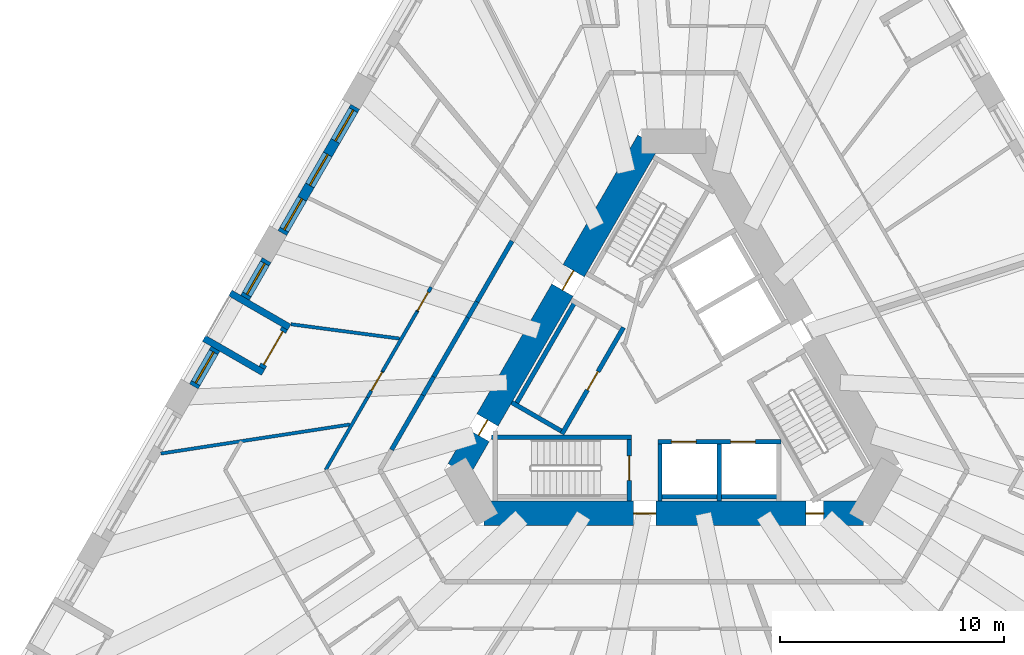
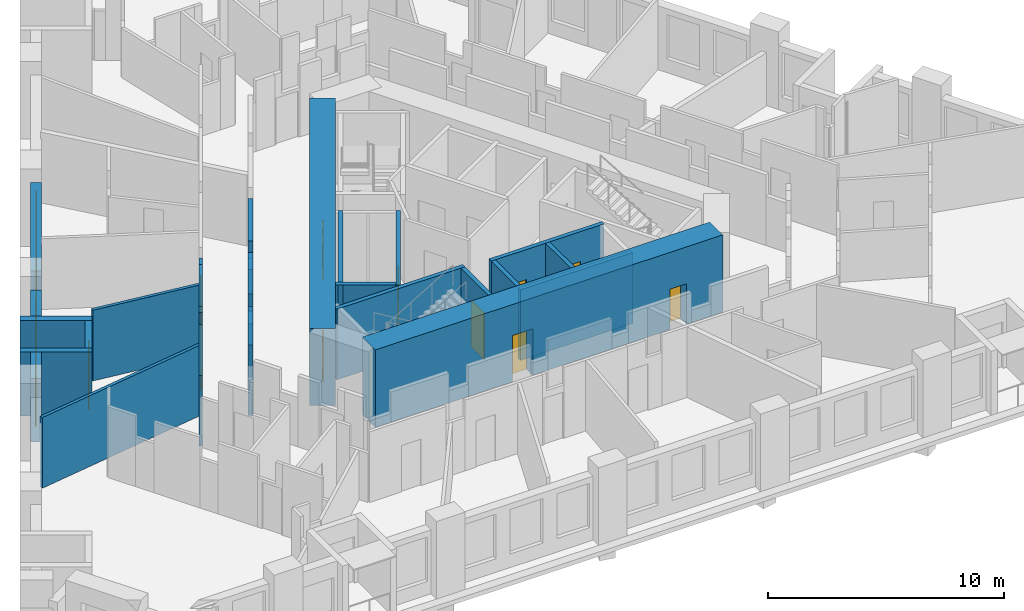
# One storey, part 4 of 14: 28 walls, 11 doors, 5 windows, 16 openings.
"""IFC4 building model written with IfcOpenShell, lengths in metres."""

from ifc_helpers import new_model, si_unit, direction, frame, frame_2d, origin, place, context, subcontext, project, spatial, polyline, rectangle, outline, extrude, material, layer, layer_set, type_object, element, fill, save


model = new_model("IFC4")

# Units and contexts
model_context = context("Model", 3, precision=1e-05, world=origin(), true_north=direction((0.0, 1.0)))
body_context = subcontext(model_context, "Body", "Model", "MODEL_VIEW")
ifc_project = project(units=[si_unit("LENGTHUNIT", "METRE"), si_unit("AREAUNIT", "SQUARE_METRE"), si_unit("VOLUMEUNIT", "CUBIC_METRE"), si_unit("PLANEANGLEUNIT", "RADIAN"), si_unit("MASSUNIT", "GRAM", prefix="KILO")], contexts=[model_context])

# Site, building, storey
site_placement = place(None, origin())
site = spatial("IfcSite", under=ifc_project, at=site_placement, CompositionType="ELEMENT")
building_placement = place(site_placement, origin())
building = spatial("IfcBuilding", under=site, at=building_placement, Name="Tramontana Tower", CompositionType="ELEMENT")
storey_placement = place(building_placement, frame((0.0, 0.0, 38.0)))
storey = spatial("IfcBuildingStorey", under=building, at=storey_placement, Name="L07", CompositionType="ELEMENT", Elevation=38.0)

# Wall, openings, doors
ifc_material_1 = material(Name="Concrete 70 MPa", Category="concrete")
ifc_layer_1 = layer(ifc_material_1, 1.10009765625)
ifc_layer_set_1 = layer_set([ifc_layer_1], Name="Core wall 1100 70 MPa")
wall_type_1 = type_object("IfcWallType", Name="Core wall 1100 70 MPa", PredefinedType="SHEAR", material=ifc_layer_set_1)
wall_1_placement = place(storey_placement, frame((-1.125732421875, 10.449951171875, 0.0), z_axis=(0.0, 0.0, 1.0), x_axis=(-0.500001757713, -0.866024388966, 0.0)))
wall_1 = element("IfcWall", 1, at=wall_1_placement, inside=storey, type_object=wall_type_1, Name="Core wall C1 L07", PredefinedType="SHEAR", context=body_context, shape_type="SweptSolid", body=[
    extrude(rectangle(XDim=16.97412109375, YDim=1.10009765625, at=frame_2d((8.487060546875, 0.0))), origin(), (0.0, 0.0, 1.0), 4.0),
])
opening_1_placement = place(wall_1_placement, frame((6.692138671875, 0.0, 0.0)))
opening_1 = element("IfcOpeningElement", 2, at=opening_1_placement, cuts=wall_1, Name="Opening RG1", PredefinedType="OPENING", context=body_context, shape_type="SweptSolid", body=[
    extrude(rectangle(XDim=1.0, YDim=2.39990234375, at=frame_2d((0.5, 1.199951171875))), frame((0.0, 0.56005859375, 0.0), z_axis=(0.0, -1.0, 0.0), x_axis=(1.0, 0.0, 0.0)), (0.0, 0.0, 1.0), 1.1201171875),
])
opening_2_placement = place(wall_1_placement, frame((14.397216796875, 0.0, 0.0)))
opening_2 = element("IfcOpeningElement", 3, at=opening_2_placement, cuts=wall_1, Name="Opening PD1", PredefinedType="OPENING", context=body_context, shape_type="SweptSolid", body=[
    extrude(rectangle(XDim=0.800048828125, YDim=2.10009765625, at=frame_2d((0.39990234375, 1.050048828125))), frame((0.0, 0.56005859375, 0.0), z_axis=(0.0, -1.0, 0.0), x_axis=(1.0, 0.0, 0.0)), (0.0, 0.0, 1.0), 1.1201171875),
])
ifc_material_2 = material(Name="Painted steel", Category="steel")
door_type_1 = type_object("IfcDoorType", Name="CUPBOARD DOOR 800", OperationType="SINGLE_SWING_LEFT", PredefinedType="DOOR", material=ifc_material_2)
door_1_placement = place(opening_2_placement, origin())
door_1 = element("IfcDoor", 4, at=door_1_placement, inside=storey, type_object=door_type_1, Name="Door PD1", OperationType="SINGLE_SWING_LEFT", OverallHeight=2.10009765625, OverallWidth=0.800048828125, PredefinedType="DOOR", context=body_context, shape_type="SweptSolid", body=[
    extrude(rectangle(XDim=0.800048828125, YDim=2.10009765625, at=frame_2d((0.39990234375, 1.050048828125))), frame((0.0, 0.02490234375, 0.0), z_axis=(0.0, -1.0, 0.0), x_axis=(1.0, 0.0, 0.0)), (0.0, 0.0, 1.0), 0.050048828125),
])
fill(opening_2, door_1)
ifc_material_3 = material(Name="Painted steel", Category="steel")
door_type_2 = type_object("IfcDoorType", Name="RING DOOR 1000", OperationType="SINGLE_SWING_LEFT", PredefinedType="DOOR", material=ifc_material_3)
door_2_placement = place(opening_1_placement, origin())
door_2 = element("IfcDoor", 5, at=door_2_placement, inside=storey, type_object=door_type_2, Name="Door RG1", OperationType="SINGLE_SWING_RIGHT", OverallHeight=2.39990234375, OverallWidth=1.0, PredefinedType="DOOR", context=body_context, shape_type="SweptSolid", body=[
    extrude(rectangle(XDim=1.0, YDim=2.39990234375, at=frame_2d((0.5, 1.199951171875))), frame((0.0, 0.02490234375, 0.0), z_axis=(0.0, -1.0, 0.0), x_axis=(1.0, 0.0, 0.0)), (0.0, 0.0, 1.0), 0.050048828125),
])
fill(opening_1, door_2)

wall_2_placement = place(storey_placement, frame((-8.487060546875, -6.199951171875, 0.0), z_axis=(0.0, 0.0, 1.0), x_axis=(1.0, 0.0, 0.0)))
wall_2 = element("IfcWall", 6, at=wall_2_placement, inside=storey, type_object=wall_type_1, Name="Core wall C3 L07", PredefinedType="SHEAR", context=body_context, shape_type="SweptSolid", body=[
    extrude(rectangle(XDim=16.97412109375, YDim=1.10009765625, at=frame_2d((8.487060546875, 0.0))), origin(), (0.0, 0.0, 1.0), 4.0),
])
opening_3_placement = place(wall_2_placement, frame((6.69189453125, 0.0, 0.0)))
opening_3 = element("IfcOpeningElement", 7, at=opening_3_placement, cuts=wall_2, Name="Opening RG2", PredefinedType="OPENING", context=body_context, shape_type="SweptSolid", body=[
    extrude(rectangle(XDim=1.0, YDim=2.39990234375, at=frame_2d((0.5, 1.199951171875))), frame((0.0, 0.56005859375, 0.0), z_axis=(0.0, -1.0, 0.0), x_axis=(1.0, 0.0, 0.0)), (0.0, 0.0, 1.0), 1.1201171875),
])
opening_4_placement = place(wall_2_placement, frame((14.39697265625, 0.0, 0.0)))
opening_4 = element("IfcOpeningElement", 8, at=opening_4_placement, cuts=wall_2, Name="Opening PD2", PredefinedType="OPENING", context=body_context, shape_type="SweptSolid", body=[
    extrude(rectangle(XDim=0.800048828125, YDim=2.10009765625, at=frame_2d((0.39990234375, 1.050048828125))), frame((0.0, 0.56005859375, 0.0), z_axis=(0.0, -1.0, 0.0), x_axis=(1.0, 0.0, 0.0)), (0.0, 0.0, 1.0), 1.1201171875),
])
door_3_placement = place(opening_4_placement, origin())
door_3 = element("IfcDoor", 9, at=door_3_placement, inside=storey, type_object=door_type_1, Name="Door PD2", OperationType="SINGLE_SWING_RIGHT", OverallHeight=2.10009765625, OverallWidth=0.800048828125, PredefinedType="DOOR", context=body_context, shape_type="SweptSolid", body=[
    extrude(rectangle(XDim=0.800048828125, YDim=2.10009765625, at=frame_2d((0.39990234375, 1.050048828125))), frame((0.0, 0.02490234375, 0.0), z_axis=(0.0, -1.0, 0.0), x_axis=(1.0, 0.0, 0.0)), (0.0, 0.0, 1.0), 0.050048828125),
])
fill(opening_4, door_3)
door_4_placement = place(opening_3_placement, origin())
door_4 = element("IfcDoor", 10, at=door_4_placement, inside=storey, type_object=door_type_2, Name="Door RG2", OperationType="SINGLE_SWING_LEFT", OverallHeight=2.39990234375, OverallWidth=1.0, PredefinedType="DOOR", context=body_context, shape_type="SweptSolid", body=[
    extrude(rectangle(XDim=1.0, YDim=2.39990234375, at=frame_2d((0.5, 1.199951171875))), frame((0.0, 0.02490234375, 0.0), z_axis=(0.0, -1.0, 0.0), x_axis=(1.0, 0.0, 0.0)), (0.0, 0.0, 1.0), 0.050048828125),
])
fill(opening_3, door_4)

# Walls
ifc_material_4 = material(Name="Blockwork", Category="masonry")
ifc_layer_2 = layer(ifc_material_4, 0.199951171875)
ifc_layer_set_2 = layer_set([ifc_layer_2], Name="ENTRY WALL 200")
wall_type_2 = type_object("IfcWallType", Name="ENTRY WALL 200", PredefinedType="SOLIDWALL", material=ifc_layer_set_2)
wall_3_placement = place(storey_placement, frame((-12.616943359375, -3.353515625, 0.0), z_axis=(0.0, 0.0, 1.0), x_axis=(0.49993514545, 0.866062844338, 0.0)))
element("IfcWall", 11, at=wall_3_placement, inside=storey, type_object=wall_type_2, Name="Wall v02-ew4-1", PredefinedType="SOLIDWALL", context=body_context, shape_type="SweptSolid", body=[
    extrude(rectangle(XDim=2.815185546875, YDim=0.199951171875, at=frame_2d((1.40771484375, 0.0))), origin(), (0.0, 0.0, 1.0), 3.64990234375),
])
wall_4_placement = place(storey_placement, frame((-11.20947265625, -0.915283203125, 0.0), z_axis=(0.0, 0.0, 1.0), x_axis=(0.500174821557, 0.865924446982, 0.0)))
element("IfcWall", 12, at=wall_4_placement, inside=storey, type_object=wall_type_2, Name="Wall v02-ew4-2", PredefinedType="SOLIDWALL", context=body_context, shape_type="SweptSolid", body=[
    extrude(rectangle(XDim=0.949951171875, YDim=0.199951171875, at=frame_2d((0.47509765625, 0.0))), origin(), (0.0, 0.0, 1.0), 2.75),
])
wall_5_placement = place(storey_placement, frame((-10.734375, -0.0927734375, 0.0), z_axis=(0.0, 0.0, 1.0), x_axis=(0.499952348839, 0.866052913447, 0.0)))
element("IfcWall", 13, at=wall_5_placement, inside=storey, type_object=wall_type_2, Name="Wall v02-ew4-3", PredefinedType="SOLIDWALL", context=body_context, shape_type="SweptSolid", body=[
    extrude(rectangle(XDim=3.064208984375, YDim=0.199951171875, at=frame_2d((1.5322265625, 0.0))), origin(), (0.0, 0.0, 1.0), 3.64990234375),
])
wall_6_placement = place(storey_placement, frame((-9.202392578125, 2.56103515625, 0.0), z_axis=(0.0, 0.0, 1.0), x_axis=(0.500118501653, 0.865956976012, 0.0)))
element("IfcWall", 14, at=wall_6_placement, inside=storey, type_object=wall_type_2, Name="Wall v02-ew4-4", PredefinedType="SOLIDWALL", context=body_context, shape_type="SweptSolid", body=[
    extrude(rectangle(XDim=0.818115234375, YDim=0.199951171875, at=frame_2d((0.4091796875, 0.0))), origin(), (0.0, 0.0, 1.0), 2.75),
])
wall_7_placement = place(storey_placement, frame((-8.793212890625, 3.26953125, 0.0), z_axis=(0.0, 0.0, 1.0), x_axis=(0.499947505232, 0.866055709532, 0.0)))
element("IfcWall", 15, at=wall_7_placement, inside=storey, type_object=wall_type_2, Name="Wall v02-ew4-5", PredefinedType="SOLIDWALL", context=body_context, shape_type="SweptSolid", body=[
    extrude(rectangle(XDim=3.130126953125, YDim=0.199951171875, at=frame_2d((1.56494140625, 0.0))), origin(), (0.0, 0.0, 1.0), 3.64990234375),
])

# Wall, openings, windows
ifc_material_5 = material(Name="Precast concrete 60 MPa", Category="concrete")
ifc_layer_3 = layer(ifc_material_5, 0.449951171875)
ifc_layer_set_3 = layer_set([ifc_layer_3], Name="Precast concrete 60 MPa, 450 mm")
wall_type_3 = type_object("IfcWallType", Name="EW1 Stone-faced precast wall 450", PredefinedType="SOLIDWALL", material=ifc_layer_set_3)
wall_8_placement = place(storey_placement, frame((-14.240478515625, 11.98486328125, 0.0), z_axis=(0.0, 0.0, 1.0), x_axis=(-0.500002371706, -0.866024034475, 0.0)))
wall_8 = element("IfcWall", 16, at=wall_8_placement, inside=storey, type_object=wall_type_3, Name="External wall L07 face 0 bay 4", PredefinedType="SOLIDWALL", context=body_context, shape_type="SweptSolid", body=[
    extrude(rectangle(XDim=6.51806640625, YDim=0.449951171875, at=frame_2d((3.259033203125, 0.0))), origin(), (0.0, 0.0, 1.0), 3.300048828125),
])
opening_5_placement = place(wall_8_placement, frame((0.169677734375, 0.0, 0.699951171875)))
opening_5 = element("IfcOpeningElement", 17, at=opening_5_placement, cuts=wall_8, Name="Opening M1", PredefinedType="OPENING", context=body_context, shape_type="SweptSolid", body=[
    extrude(rectangle(XDim=1.60009765625, YDim=2.300048828125, at=frame_2d((0.800048828125, 1.14990234375))), frame((0.0, 0.23486328125, 0.0), z_axis=(0.0, -1.0, 0.0), x_axis=(1.0, 0.0, 0.0)), (0.0, 0.0, 1.0), 0.469970703125),
])
opening_6_placement = place(wall_8_placement, frame((2.458984375, 0.0, 0.699951171875)))
opening_6 = element("IfcOpeningElement", 18, at=opening_6_placement, cuts=wall_8, Name="Opening M1", PredefinedType="OPENING", context=body_context, shape_type="SweptSolid", body=[
    extrude(rectangle(XDim=1.60009765625, YDim=2.300048828125, at=frame_2d((0.800048828125, 1.14990234375))), frame((0.0, 0.23486328125, 0.0), z_axis=(0.0, -1.0, 0.0), x_axis=(1.0, 0.0, 0.0)), (0.0, 0.0, 1.0), 0.469970703125),
])
opening_7_placement = place(wall_8_placement, frame((4.748291015625, 0.0, 0.699951171875)))
opening_7 = element("IfcOpeningElement", 19, at=opening_7_placement, cuts=wall_8, Name="Opening M1", PredefinedType="OPENING", context=body_context, shape_type="SweptSolid", body=[
    extrude(rectangle(XDim=1.60009765625, YDim=2.300048828125, at=frame_2d((0.800048828125, 1.14990234375))), frame((0.0, 0.23486328125, 0.0), z_axis=(0.0, -1.0, 0.0), x_axis=(1.0, 0.0, 0.0)), (0.0, 0.0, 1.0), 0.469970703125),
])
ifc_material_6 = material(Name="Aluminum frame, double glazing unit", Category="aluminium")
window_type = type_object("IfcWindowType", Name="M1 Window 1.6 x 2.3", PartitioningType="SINGLE_PANEL", PredefinedType="WINDOW", material=ifc_material_6)
window_1_placement = place(opening_5_placement, origin())
window_1 = element("IfcWindow", 20, at=window_1_placement, inside=storey, type_object=window_type, Name="Window M1 L07 face 0 module 10", OverallHeight=2.300048828125, OverallWidth=1.60009765625, PartitioningType="SINGLE_PANEL", PredefinedType="WINDOW", context=body_context, shape_type="SweptSolid", body=[
    extrude(rectangle(XDim=1.60009765625, YDim=2.300048828125, at=frame_2d((0.800048828125, 1.14990234375))), frame((0.0, 0.030029296875, 0.0), z_axis=(0.0, -1.0, 0.0), x_axis=(1.0, 0.0, 0.0)), (0.0, 0.0, 1.0), 0.06005859375),
])
fill(opening_5, window_1)
window_2_placement = place(opening_6_placement, origin())
window_2 = element("IfcWindow", 21, at=window_2_placement, inside=storey, type_object=window_type, Name="Window M1 L07 face 0 module 11", OverallHeight=2.300048828125, OverallWidth=1.60009765625, PartitioningType="SINGLE_PANEL", PredefinedType="WINDOW", context=body_context, shape_type="SweptSolid", body=[
    extrude(rectangle(XDim=1.60009765625, YDim=2.300048828125, at=frame_2d((0.800048828125, 1.14990234375))), frame((0.0, 0.030029296875, 0.0), z_axis=(0.0, -1.0, 0.0), x_axis=(1.0, 0.0, 0.0)), (0.0, 0.0, 1.0), 0.06005859375),
])
fill(opening_6, window_2)
window_3_placement = place(opening_7_placement, origin())
window_3 = element("IfcWindow", 22, at=window_3_placement, inside=storey, type_object=window_type, Name="Window M1 L07 face 0 module 12", OverallHeight=2.300048828125, OverallWidth=1.60009765625, PartitioningType="SINGLE_PANEL", PredefinedType="WINDOW", context=body_context, shape_type="SweptSolid", body=[
    extrude(rectangle(XDim=1.60009765625, YDim=2.300048828125, at=frame_2d((0.800048828125, 1.14990234375))), frame((0.0, 0.030029296875, 0.0), z_axis=(0.0, -1.0, 0.0), x_axis=(1.0, 0.0, 0.0)), (0.0, 0.0, 1.0), 0.06005859375),
])
fill(opening_7, window_3)

# Wall, opening, window
wall_9_placement = place(storey_placement, frame((-18.199462890625, 5.127685546875, 0.0), z_axis=(0.0, 0.0, 1.0), x_axis=(-0.499944052521, -0.866057702667, 0.0)))
wall_9 = element("IfcWall", 23, at=wall_9_placement, inside=storey, type_object=wall_type_3, Name="External wall L07 face 0 bay 5", PredefinedType="SOLIDWALL", context=body_context, shape_type="SweptSolid", body=[
    extrude(rectangle(XDim=1.939208984375, YDim=0.449951171875, at=frame_2d((0.9697265625, 0.0))), origin(), (0.0, 0.0, 1.0), 3.300048828125),
])
opening_8_placement = place(wall_9_placement, frame((0.169677734375, 0.0, 0.699951171875)))
opening_8 = element("IfcOpeningElement", 24, at=opening_8_placement, cuts=wall_9, Name="Opening M1", PredefinedType="OPENING", context=body_context, shape_type="SweptSolid", body=[
    extrude(rectangle(XDim=1.60009765625, YDim=2.300048828125, at=frame_2d((0.800048828125, 1.14990234375))), frame((0.0, 0.23486328125, 0.0), z_axis=(0.0, -1.0, 0.0), x_axis=(1.0, 0.0, 0.0)), (0.0, 0.0, 1.0), 0.469970703125),
])
window_4_placement = place(opening_8_placement, origin())
window_4 = element("IfcWindow", 25, at=window_4_placement, inside=storey, type_object=window_type, Name="Window M1 L07 face 0 module 13", OverallHeight=2.300048828125, OverallWidth=1.60009765625, PartitioningType="SINGLE_PANEL", PredefinedType="WINDOW", context=body_context, shape_type="SweptSolid", body=[
    extrude(rectangle(XDim=1.60009765625, YDim=2.300048828125, at=frame_2d((0.800048828125, 1.14990234375))), frame((0.0, 0.030029296875, 0.0), z_axis=(0.0, -1.0, 0.0), x_axis=(1.0, 0.0, 0.0)), (0.0, 0.0, 1.0), 0.06005859375),
])
fill(opening_8, window_4)

wall_10_placement = place(storey_placement, frame((-20.48876953125, 1.16259765625, 0.0), z_axis=(0.0, 0.0, 1.0), x_axis=(-0.49998396455, -0.866034661658, 0.0)))
wall_10 = element("IfcWall", 26, at=wall_10_placement, inside=storey, type_object=wall_type_3, Name="External wall L07 face 0 bay 5", PredefinedType="SOLIDWALL", context=body_context, shape_type="SweptSolid", body=[
    extrude(rectangle(XDim=1.939453125, YDim=0.449951171875, at=frame_2d((0.9697265625, 0.0))), origin(), (0.0, 0.0, 1.0), 3.300048828125),
])
opening_9_placement = place(wall_10_placement, frame((0.169677734375, 0.0, 0.699951171875)))
opening_9 = element("IfcOpeningElement", 27, at=opening_9_placement, cuts=wall_10, Name="Opening M1", PredefinedType="OPENING", context=body_context, shape_type="SweptSolid", body=[
    extrude(rectangle(XDim=1.60009765625, YDim=2.300048828125, at=frame_2d((0.800048828125, 1.14990234375))), frame((0.0, 0.23486328125, 0.0), z_axis=(0.0, -1.0, 0.0), x_axis=(1.0, 0.0, 0.0)), (0.0, 0.0, 1.0), 0.469970703125),
])
window_5_placement = place(opening_9_placement, origin())
window_5 = element("IfcWindow", 28, at=window_5_placement, inside=storey, type_object=window_type, Name="Window M1 L07 face 0 module 15", OverallHeight=2.300048828125, OverallWidth=1.60009765625, PartitioningType="SINGLE_PANEL", PredefinedType="WINDOW", context=body_context, shape_type="SweptSolid", body=[
    extrude(rectangle(XDim=1.60009765625, YDim=2.300048828125, at=frame_2d((0.800048828125, 1.14990234375))), frame((0.0, 0.030029296875, 0.0), z_axis=(0.0, -1.0, 0.0), x_axis=(1.0, 0.0, 0.0)), (0.0, 0.0, 1.0), 0.06005859375),
])
fill(opening_9, window_5)

# Wall, opening, door
ifc_material_7 = material(Name="Precast concrete 60 MPa", Category="concrete")
ifc_layer_4 = layer(ifc_material_7, 0.300048828125)
ifc_layer_set_4 = layer_set([ifc_layer_4], Name="LW1 Stone-faced loggia wall 300")
wall_type_4 = type_object("IfcWallType", Name="LW1 Stone-faced loggia wall 300", PredefinedType="SOLIDWALL", material=ifc_layer_set_4)
wall_11_placement = place(storey_placement, frame((-17.39208984375, 2.075927734375, 0.0), z_axis=(0.0, 0.0, 1.0), x_axis=(-0.500040236659, -0.866002171892, 0.0)))
wall_11 = element("IfcWall", 29, at=wall_11_placement, inside=storey, type_object=wall_type_4, Name="Loggia wall L07 G0S0.13", PredefinedType="SOLIDWALL", context=body_context, shape_type="SweptSolid", body=[
    extrude(rectangle(XDim=2.039306640625, YDim=0.300048828125, at=frame_2d((1.01953125, 0.0))), origin(), (0.0, 0.0, 1.0), 3.300048828125),
])
opening_10_placement = place(wall_11_placement, frame((0.169677734375, 0.0, 0.0)))
opening_10 = element("IfcOpeningElement", 30, at=opening_10_placement, cuts=wall_11, Name="Opening BD-0S0-13", PredefinedType="OPENING", context=body_context, shape_type="SweptSolid", body=[
    extrude(rectangle(XDim=1.699951171875, YDim=2.39990234375, at=frame_2d((0.85009765625, 1.199951171875))), frame((0.0, 0.159912109375, 0.0), z_axis=(0.0, -1.0, 0.0), x_axis=(1.0, 0.0, 0.0)), (0.0, 0.0, 1.0), 0.320068359375),
])
ifc_material_8 = material(Name="Aluminum frame, double glazing unit", Category="aluminium")
door_type_3 = type_object("IfcDoorType", Name="BD1 Sliding door 1.7 x 2.4", OperationType="SLIDING_TO_LEFT", PredefinedType="DOOR", material=ifc_material_8)
door_5_placement = place(opening_10_placement, origin())
door_5 = element("IfcDoor", 31, at=door_5_placement, inside=storey, type_object=door_type_3, Name="Loggia door L07 G0S0.13", OperationType="SLIDING_TO_LEFT", OverallHeight=2.39990234375, OverallWidth=1.699951171875, PredefinedType="DOOR", context=body_context, shape_type="SweptSolid", body=[
    extrude(rectangle(XDim=1.699951171875, YDim=2.39990234375, at=frame_2d((0.85009765625, 1.199951171875))), frame((0.0, 0.02490234375, 0.0), z_axis=(0.0, -1.0, 0.0), x_axis=(1.0, 0.0, 0.0)), (0.0, 0.0, 1.0), 0.050048828125),
])
fill(opening_10, door_5)

# Walls
for number, where, z_axis, x_axis, name in (
    (32, (-19.82861328125, 3.65576171875, 0.0), (0.0, 0.0, 1.0), (0.866037623948, -0.499978833458, 0.0), "Loggia return L07 G0S0.13a"),
    (33, (-20.998291015625, 1.6298828125, 0.0), (0.0, 0.0, 1.0), (0.866037623948, -0.499978833458, 0.0), "Loggia return L07 G0S0.13b"),
):
    element("IfcWall", number, at=place(storey_placement, frame(where, z_axis=z_axis, x_axis=x_axis)), inside=storey, type_object=wall_type_4, Name=name, PredefinedType="SOLIDWALL", context=body_context, shape_type="SweptSolid", body=[
        extrude(rectangle(XDim=3.050048828125, YDim=0.300048828125, at=frame_2d((1.52490234375, 0.0))), origin(), (0.0, 0.0, 1.0), 3.300048828125),
    ])
ifc_material_9 = material(Name="Gypsum board partition")
ifc_layer_5 = layer(ifc_material_9, 0.14990234375)
ifc_layer_set_5 = layer_set([ifc_layer_5], Name="PARTITION 150")
wall_type_5 = type_object("IfcWallType", Name="PARTITION 150", PredefinedType="PARTITIONING", material=ifc_layer_set_5)
wall_12_placement = place(storey_placement, frame((-22.93310546875, -3.521484375, 0.0), z_axis=(0.0, 0.0, 1.0), x_axis=(0.988416186742, 0.15176772314, 0.0)))
element("IfcWall", 34, at=wall_12_placement, inside=storey, type_object=wall_type_5, Name="Wall v02-pw00", PredefinedType="PARTITIONING", context=body_context, shape_type="SweptSolid", body=[
    extrude(rectangle(XDim=8.556396484375, YDim=0.14990234375, at=frame_2d((4.2783203125, 0.0))), origin(), (0.0, 0.0, 1.0), 3.64990234375),
])
wall_13_placement = place(storey_placement, frame((-17.1123046875, 2.2607421875, 0.0), z_axis=(0.0, 0.0, 1.0), x_axis=(0.991386113533, -0.130971653017, 0.0)))
element("IfcWall", 35, at=wall_13_placement, inside=storey, type_object=wall_type_5, Name="Wall v02-pw02", PredefinedType="PARTITIONING", context=body_context, shape_type="SweptSolid", body=[
    extrude(rectangle(XDim=4.89697265625, YDim=0.14990234375, at=frame_2d((2.448486328125, 0.0))), origin(), (0.0, 0.0, 1.0), 3.64990234375),
])
wall_14_placement = place(storey_placement, frame((-15.5595703125, -4.25, 0.0), z_axis=(0.0, 0.0, 1.0), x_axis=(0.500007375767, 0.866021145342, 0.0)))
element("IfcWall", 36, at=wall_14_placement, inside=storey, type_object=wall_type_5, Name="Wall v02-pw08-0", PredefinedType="PARTITIONING", context=body_context, shape_type="SweptSolid", body=[
    extrude(rectangle(XDim=3.7333984375, YDim=0.14990234375, at=frame_2d((1.86669921875, 0.0))), origin(), (0.0, 0.0, 1.0), 3.64990234375),
])

# Wall, opening, door
wall_15_placement = place(storey_placement, frame((-13.69287109375, -1.016845703125, 0.0), z_axis=(0.0, 0.0, 1.0), x_axis=(0.499982862641, 0.866035297817, 0.0)))
wall_15 = element("IfcWall", 37, at=wall_15_placement, inside=storey, type_object=wall_type_5, Name="Wall v02-pw08-1", PredefinedType="PARTITIONING", context=body_context, shape_type="SweptSolid", body=[
    extrude(outline(polyline([(0.0, 0.0), (1.3525390625, 0.0), (1.352783203125, 3.64990234375), (0.920166015625, 3.64990234375), (0.920166015625, 2.75), (0.0, 2.75), (0.0, 0.0)])), frame((0.0, 0.074951171875, 0.0), z_axis=(0.0, -1.0, 0.0), x_axis=(1.0, 0.0, 0.0)), (0.0, 0.0, 1.0), 0.14990234375),
])
opening_11_placement = place(wall_15_placement, frame((0.352783203125, 0.0, 0.0)))
opening_11 = element("IfcOpeningElement", 38, at=opening_11_placement, cuts=wall_15, Name="Opening B0C-12", PredefinedType="OPENING", context=body_context, shape_type="SweptSolid", body=[
    extrude(rectangle(XDim=0.949951171875, YDim=2.39990234375, at=frame_2d((0.47509765625, 1.199951171875))), frame((0.0, 0.0849609375, 0.0), z_axis=(0.0, -1.0, 0.0), x_axis=(1.0, 0.0, 0.0)), (0.0, 0.0, 1.0), 0.169921875),
])
ifc_material_10 = material(Name="Painted timber", Category="wood")
door_type_4 = type_object("IfcDoorType", Name="DOOR ROOM 950", OperationType="SINGLE_SWING_LEFT", PredefinedType="DOOR", material=ifc_material_10)
door_6_placement = place(opening_11_placement, origin())
door_6 = element("IfcDoor", 39, at=door_6_placement, inside=storey, type_object=door_type_4, Name="Door B0C-12", OperationType="SINGLE_SWING_RIGHT", OverallHeight=2.39990234375, OverallWidth=0.949951171875, PredefinedType="DOOR", context=body_context, shape_type="SweptSolid", body=[
    extrude(rectangle(XDim=0.949951171875, YDim=2.39990234375, at=frame_2d((0.47509765625, 1.199951171875))), frame((0.0, 0.02490234375, 0.0), z_axis=(0.0, -1.0, 0.0), x_axis=(1.0, 0.0, 0.0)), (0.0, 0.0, 1.0), 0.050048828125),
])
fill(opening_11, door_6)

# Wall
wall_16_placement = place(storey_placement, frame((-13.0166015625, 0.154541015625, 0.0), z_axis=(0.0, 0.0, 1.0), x_axis=(0.499982516597, 0.866035497597, 0.0)))
element("IfcWall", 40, at=wall_16_placement, inside=storey, type_object=wall_type_5, Name="Wall v02-pw08-2", PredefinedType="PARTITIONING", context=body_context, shape_type="SweptSolid", body=[
    extrude(rectangle(XDim=3.087890625, YDim=0.14990234375, at=frame_2d((1.5439453125, 0.0))), origin(), (0.0, 0.0, 1.0), 3.64990234375),
])

# Wall, opening, door
wall_17_placement = place(storey_placement, frame((-11.47265625, 2.828857421875, 0.0), z_axis=(0.0, 0.0, 1.0), x_axis=(0.499951613713, 0.866053337818, 0.0)))
wall_17 = element("IfcWall", 41, at=wall_17_placement, inside=storey, type_object=wall_type_5, Name="Wall v02-pw08-3", PredefinedType="PARTITIONING", context=body_context, shape_type="SweptSolid", body=[
    extrude(outline(polyline([(0.0, 0.0), (1.26025390625, 0.0), (1.260498046875, 2.75), (0.468017578125, 2.75), (0.468017578125, 3.64990234375), (0.0, 3.64990234375), (0.0, 0.0)])), frame((0.0, 0.074951171875, 0.0), z_axis=(0.0, -1.0, 0.0), x_axis=(1.0, 0.0, 0.0)), (0.0, 0.0, 1.0), 0.14990234375),
])
opening_12_placement = place(wall_17_placement, frame((0.050048828125, 0.0, 0.0)))
opening_12 = element("IfcOpeningElement", 42, at=opening_12_placement, cuts=wall_17, Name="Opening B0C-13", PredefinedType="OPENING", context=body_context, shape_type="SweptSolid", body=[
    extrude(rectangle(XDim=0.949951171875, YDim=2.39990234375, at=frame_2d((0.47509765625, 1.199951171875))), frame((0.0, 0.0849609375, 0.0), z_axis=(0.0, -1.0, 0.0), x_axis=(1.0, 0.0, 0.0)), (0.0, 0.0, 1.0), 0.169921875),
])
door_7_placement = place(opening_12_placement, origin())
door_7 = element("IfcDoor", 43, at=door_7_placement, inside=storey, type_object=door_type_4, Name="Door B0C-13", OperationType="SINGLE_SWING_LEFT", OverallHeight=2.39990234375, OverallWidth=0.949951171875, PredefinedType="DOOR", context=body_context, shape_type="SweptSolid", body=[
    extrude(rectangle(XDim=0.949951171875, YDim=2.39990234375, at=frame_2d((0.47509765625, 1.199951171875))), frame((0.0, 0.02490234375, 0.0), z_axis=(0.0, -1.0, 0.0), x_axis=(1.0, 0.0, 0.0)), (0.0, 0.0, 1.0), 0.050048828125),
])
fill(opening_12, door_7)

# Walls
ifc_material_11 = material(Name="Concrete 70 MPa", Category="concrete")
ifc_layer_6 = layer(ifc_material_11, 0.199951171875)
ifc_layer_set_6 = layer_set([ifc_layer_6], Name="Concrete 70 MPa, 200 mm")
wall_type_6 = type_object("IfcWallType", Name="RC SHAFT BACK WALL 200", PredefinedType="SOLIDWALL", material=ifc_layer_set_6)
for number, where, z_axis, x_axis, name in (
    (44, (-4.36474609375, 3.33984375, 0.0), (0.0, 0.0, 1.0), (-0.499996545922, -0.866027397988, 0.0), "Wall row0-back"),
    (45, (-0.7099609375, -5.449951171875, 0.0), (0.0, 0.0, 1.0), (1.0, 0.0, 0.0), "Wall row1-back"),
):
    element("IfcWall", number, at=place(storey_placement, frame(where, z_axis=z_axis, x_axis=x_axis)), inside=storey, type_object=wall_type_6, Name=name, PredefinedType="SOLIDWALL", context=body_context, shape_type="SweptSolid", body=[
        extrude(rectangle(XDim=5.5, YDim=0.199951171875, at=frame_2d((2.75, 0.0))), origin(), (0.0, 0.0, 1.0), 3.64990234375),
    ])
ifc_material_12 = material(Name="Concrete 70 MPa", Category="concrete")
ifc_layer_7 = layer(ifc_material_12, 0.199951171875)
ifc_layer_set_7 = layer_set([ifc_layer_7], Name="Concrete 70 MPa, 200 mm")
wall_type_7 = type_object("IfcWallType", Name="RC STAIR AND SHAFT WALL 200", PredefinedType="SOLIDWALL", material=ifc_layer_set_7)
wall_18_placement = place(storey_placement, frame((-8.140625, -2.800048828125, 0.0), z_axis=(0.0, 0.0, 1.0), x_axis=(1.0, 0.0, 0.0)))
element("IfcWall", 46, at=wall_18_placement, inside=storey, type_object=wall_type_7, Name="Wall st2-front", PredefinedType="SOLIDWALL", context=body_context, shape_type="SweptSolid", body=[
    extrude(rectangle(XDim=6.2607421875, YDim=0.199951171875, at=frame_2d((3.13037109375, 0.0))), origin(), (0.0, 0.0, 1.0), 3.64990234375),
])

# Wall, opening, door
wall_19_placement = place(storey_placement, frame((-1.97998046875, -2.89990234375, 0.0), z_axis=(0.0, 0.0, 1.0), x_axis=(0.0, -1.0, 0.0)))
wall_19 = element("IfcWall", 47, at=wall_19_placement, inside=storey, type_object=wall_type_7, Name="Wall st2-near", PredefinedType="SOLIDWALL", context=body_context, shape_type="SweptSolid", body=[
    extrude(rectangle(XDim=2.75, YDim=0.199951171875, at=frame_2d((1.375, 0.0))), origin(), (0.0, 0.0, 1.0), 3.64990234375),
])
opening_13_placement = place(wall_19_placement, frame((0.72509765625, 0.0, 0.0)))
opening_13 = element("IfcOpeningElement", 48, at=opening_13_placement, cuts=wall_19, Name="Opening SD2", PredefinedType="OPENING", context=body_context, shape_type="SweptSolid", body=[
    extrude(rectangle(XDim=1.10009765625, YDim=2.39990234375, at=frame_2d((0.550048828125, 1.199951171875))), frame((0.0, 0.10986328125, 0.0), z_axis=(0.0, -1.0, 0.0), x_axis=(1.0, 0.0, 0.0)), (0.0, 0.0, 1.0), 0.219970703125),
])
ifc_material_13 = material(Name="Painted steel", Category="steel")
door_type_5 = type_object("IfcDoorType", Name="STAIR DOOR 1100", OperationType="SINGLE_SWING_LEFT", PredefinedType="DOOR", material=ifc_material_13)
door_8_placement = place(opening_13_placement, origin())
door_8 = element("IfcDoor", 49, at=door_8_placement, inside=storey, type_object=door_type_5, Name="Door SD2", OperationType="SINGLE_SWING_LEFT", OverallHeight=2.39990234375, OverallWidth=1.10009765625, PredefinedType="DOOR", context=body_context, shape_type="SweptSolid", body=[
    extrude(rectangle(XDim=1.10009765625, YDim=2.39990234375, at=frame_2d((0.550048828125, 1.199951171875))), frame((0.0, 0.02490234375, 0.0), z_axis=(0.0, -1.0, 0.0), x_axis=(1.0, 0.0, 0.0)), (0.0, 0.0, 1.0), 0.050048828125),
])
fill(opening_13, door_8)

wall_20_placement = place(storey_placement, frame((-4.9931640625, -2.648193359375, 0.0), z_axis=(0.0, 0.0, 1.0), x_axis=(0.499996545922, 0.866027397988, 0.0)))
wall_20 = element("IfcWall", 50, at=wall_20_placement, inside=storey, type_object=wall_type_7, Name="Wall row0-front", PredefinedType="SOLIDWALL", context=body_context, shape_type="SweptSolid", body=[
    extrude(rectangle(XDim=5.5, YDim=0.199951171875, at=frame_2d((2.75, 0.0))), origin(), (0.0, 0.0, 1.0), 3.64990234375),
])
opening_14_placement = place(wall_20_placement, frame((2.27490234375, 0.0, 0.0)))
opening_14 = element("IfcOpeningElement", 51, at=opening_14_placement, cuts=wall_20, Name="Opening RD-0A", PredefinedType="OPENING", context=body_context, shape_type="SweptSolid", body=[
    extrude(rectangle(XDim=0.949951171875, YDim=2.39990234375, at=frame_2d((0.47509765625, 1.199951171875))), frame((0.0, 0.10986328125, 0.0), z_axis=(0.0, -1.0, 0.0), x_axis=(1.0, 0.0, 0.0)), (0.0, 0.0, 1.0), 0.219970703125),
])
door_9_placement = place(opening_14_placement, origin())
door_9 = element("IfcDoor", 52, at=door_9_placement, inside=storey, type_object=door_type_4, Name="Door RD-0A", OperationType="SINGLE_SWING_LEFT", OverallHeight=2.39990234375, OverallWidth=0.949951171875, PredefinedType="DOOR", context=body_context, shape_type="SweptSolid", body=[
    extrude(rectangle(XDim=0.949951171875, YDim=2.39990234375, at=frame_2d((0.47509765625, 1.199951171875))), frame((0.0, 0.02490234375, 0.0), z_axis=(0.0, -1.0, 0.0), x_axis=(1.0, 0.0, 0.0)), (0.0, 0.0, 1.0), 0.050048828125),
])
fill(opening_14, door_9)

# Wall
wall_21_placement = place(storey_placement, frame((-5.02978515625, -2.51171875, 0.0), z_axis=(0.0, 0.0, 1.0), x_axis=(-0.865989465428, 0.500062241894, 0.0)))
element("IfcWall", 53, at=wall_21_placement, inside=storey, type_object=wall_type_7, Name="Wall row0-side2", PredefinedType="SOLIDWALL", context=body_context, shape_type="SweptSolid", body=[
    extrude(rectangle(XDim=2.550048828125, YDim=0.199951171875, at=frame_2d((1.27490234375, 0.0))), origin(), (0.0, 0.0, 1.0), 3.64990234375),
])

# Wall, openings, doors
wall_22_placement = place(storey_placement, frame((-0.7099609375, -3.0, 0.0), z_axis=(0.0, 0.0, 1.0), x_axis=(1.0, 0.0, 0.0)))
wall_22 = element("IfcWall", 54, at=wall_22_placement, inside=storey, type_object=wall_type_7, Name="Wall row1-front", PredefinedType="SOLIDWALL", context=body_context, shape_type="SweptSolid", body=[
    extrude(rectangle(XDim=5.5, YDim=0.199951171875, at=frame_2d((2.75, 0.0))), origin(), (0.0, 0.0, 1.0), 3.64990234375),
])
opening_15_placement = place(wall_22_placement, frame((0.610107421875, 0.0, 0.0)))
opening_15 = element("IfcOpeningElement", 55, at=opening_15_placement, cuts=wall_22, Name="Opening LD-S1", PredefinedType="OPENING", context=body_context, shape_type="SweptSolid", body=[
    extrude(rectangle(XDim=1.10009765625, YDim=2.10009765625, at=frame_2d((0.550048828125, 1.050048828125))), frame((0.0, 0.10986328125, 0.0), z_axis=(0.0, -1.0, 0.0), x_axis=(1.0, 0.0, 0.0)), (0.0, 0.0, 1.0), 0.219970703125),
])
opening_16_placement = place(wall_22_placement, frame((3.260009765625, 0.0, 0.0)))
opening_16 = element("IfcOpeningElement", 56, at=opening_16_placement, cuts=wall_22, Name="Opening LD-S2", PredefinedType="OPENING", context=body_context, shape_type="SweptSolid", body=[
    extrude(rectangle(XDim=1.10009765625, YDim=2.10009765625, at=frame_2d((0.550048828125, 1.050048828125))), frame((0.0, 0.10986328125, 0.0), z_axis=(0.0, -1.0, 0.0), x_axis=(1.0, 0.0, 0.0)), (0.0, 0.0, 1.0), 0.219970703125),
])
ifc_material_14 = material(Name="Brushed steel", Category="steel")
door_type_6 = type_object("IfcDoorType", Name="LANDING DOOR 1100", OperationType="SINGLE_SWING_LEFT", PredefinedType="DOOR", material=ifc_material_14)
door_10_placement = place(opening_15_placement, origin())
door_10 = element("IfcDoor", 57, at=door_10_placement, inside=storey, type_object=door_type_6, Name="Door LD-S1", OperationType="SLIDING_TO_LEFT", OverallHeight=2.10009765625, OverallWidth=1.10009765625, PredefinedType="DOOR", context=body_context, shape_type="SweptSolid", body=[
    extrude(rectangle(XDim=1.10009765625, YDim=2.10009765625, at=frame_2d((0.550048828125, 1.050048828125))), frame((0.0, 0.02490234375, 0.0), z_axis=(0.0, -1.0, 0.0), x_axis=(1.0, 0.0, 0.0)), (0.0, 0.0, 1.0), 0.050048828125),
])
fill(opening_15, door_10)
door_11_placement = place(opening_16_placement, origin())
door_11 = element("IfcDoor", 58, at=door_11_placement, inside=storey, type_object=door_type_6, Name="Door LD-S2", OperationType="SLIDING_TO_RIGHT", OverallHeight=2.10009765625, OverallWidth=1.10009765625, PredefinedType="DOOR", context=body_context, shape_type="SweptSolid", body=[
    extrude(rectangle(XDim=1.10009765625, YDim=2.10009765625, at=frame_2d((0.550048828125, 1.050048828125))), frame((0.0, 0.02490234375, 0.0), z_axis=(0.0, -1.0, 0.0), x_axis=(1.0, 0.0, 0.0)), (0.0, 0.0, 1.0), 0.050048828125),
])
fill(opening_16, door_11)

# Walls
for number, where, z_axis, x_axis, name in (
    (59, (-0.610107421875, -3.10009765625, 0.0), (0.0, 0.0, 1.0), (0.0, -1.0, 0.0), "Wall row1-side0"),
    (60, (2.0400390625, -3.10009765625, 0.0), (0.0, 0.0, 1.0), (0.0, -1.0, 0.0), "Wall row1-side1"),
):
    element("IfcWall", number, at=place(storey_placement, frame(where, z_axis=z_axis, x_axis=x_axis)), inside=storey, type_object=wall_type_7, Name=name, PredefinedType="SOLIDWALL", context=body_context, shape_type="SweptSolid", body=[
        extrude(rectangle(XDim=2.5498046875, YDim=0.199951171875, at=frame_2d((1.27490234375, 0.0))), origin(), (0.0, 0.0, 1.0), 3.64990234375),
    ])

save(model, "model.ifc")
